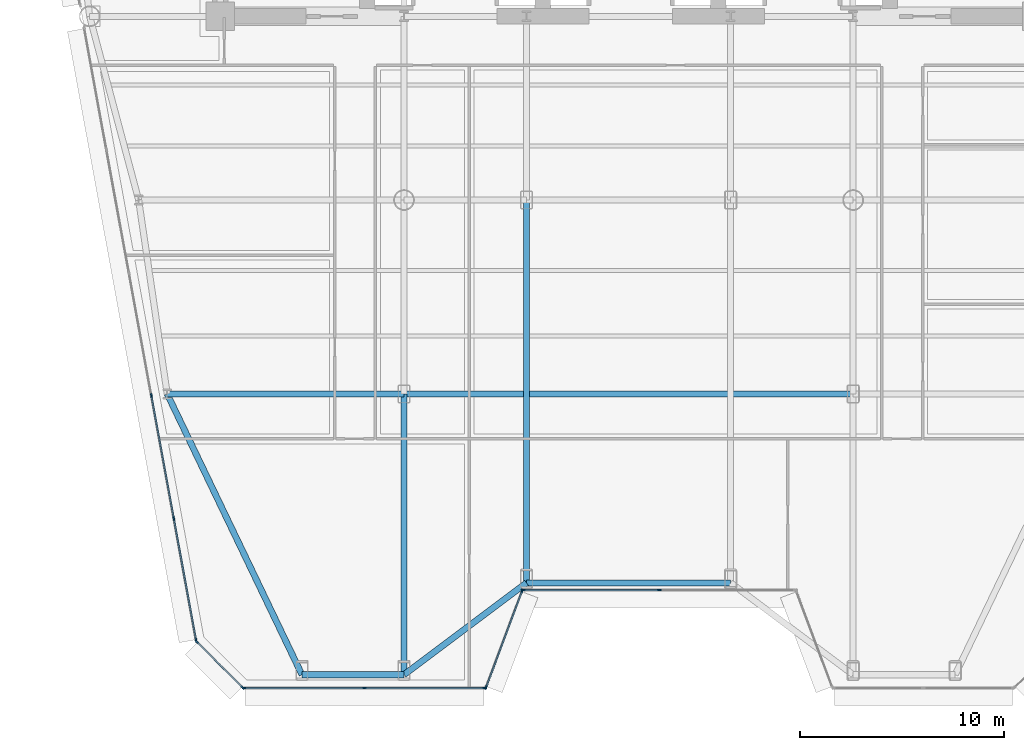
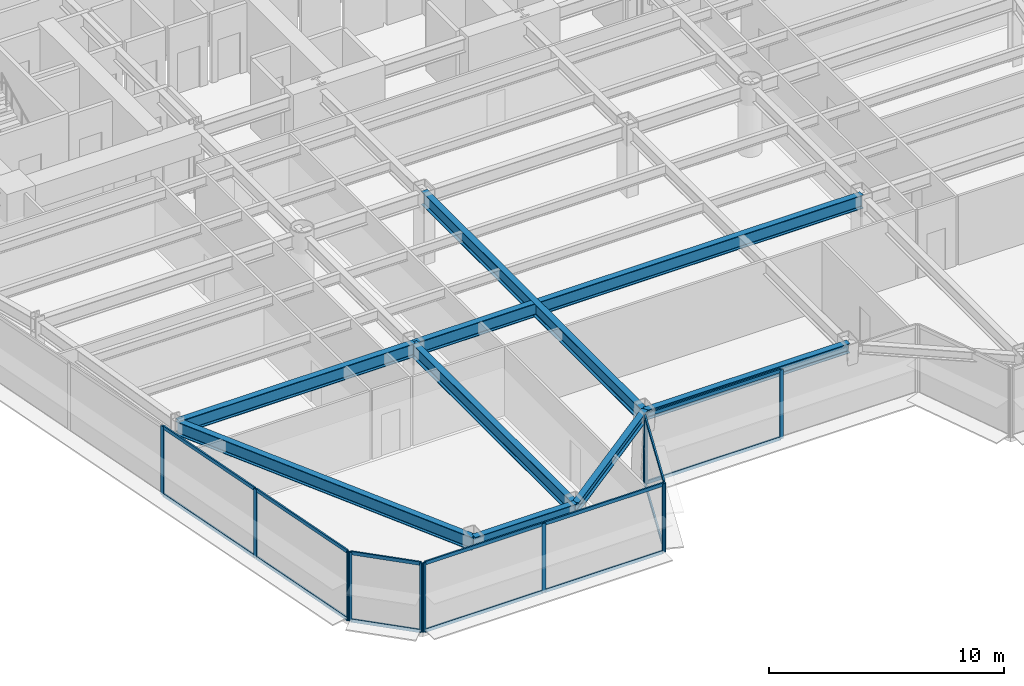
# One storey, part 2 of 14: 26 members, 8 beams, 5 elements without a shape of their own.
"""IFC4 building model written with IfcOpenShell, lengths in metres."""

from ifc_helpers import new_model, si_unit, direction, frame, origin, origin_2d, place, context, subcontext, project, spatial, rectangle, i_section, extrude, source, transform, mapped, material, layer, layer_set, material_profile, profile_set, type_object, element, aggregate, save


model = new_model("IFC4")

# Units and contexts
model_context = context("Model", 3, precision=1e-05, world=origin(), true_north=direction((0.0, 1.0)))
body_context = subcontext(model_context, "Body", "Model", "MODEL_VIEW")
ifc_project = project(units=[si_unit("LENGTHUNIT", "METRE"), si_unit("AREAUNIT", "SQUARE_METRE"), si_unit("VOLUMEUNIT", "CUBIC_METRE"), si_unit("PLANEANGLEUNIT", "RADIAN"), si_unit("MASSUNIT", "GRAM", prefix="KILO")], contexts=[model_context])

# Site, building, storey
site_placement = place(None, origin())
site = spatial("IfcSite", under=ifc_project, at=site_placement, CompositionType="ELEMENT")
building_placement = place(site_placement, origin())
building = spatial("IfcBuilding", under=site, at=building_placement, Name="Vaeldorn Concourse Tower", CompositionType="ELEMENT")
storey_placement = place(building_placement, frame((0.0, 0.0, 88.199951171875)))
storey = spatial("IfcBuildingStorey", under=building, at=storey_placement, Name="L22", CompositionType="ELEMENT", Elevation=88.199951171875)

# Beams
ifc_material_1 = material(Name="Steel S355", Category="steel")
ifc_material_profile_1 = material_profile(ifc_material_1, i_section(OverallWidth=0.300048828125, OverallDepth=0.5, WebThickness=0.014404296875, FlangeThickness=0.028076171875, FilletRadius=0.027099609375, at=origin_2d()), Name="HEB 500")
ifc_profile_set_1 = profile_set([ifc_material_profile_1], Name="Steel S355")
beam_type_1 = type_object("IfcBeamType", Name="BM-SP-HEB500", PredefinedType="SPANDREL", material=ifc_profile_set_1)
shared_shape_1 = source(origin(), body_context, "Body", "SweptSolid", [
    extrude(i_section(OverallWidth=0.300048828125, OverallDepth=0.5, WebThickness=0.014404296875, FlangeThickness=0.028076171875, FilletRadius=0.027099609375, at=origin_2d()), origin(), (0.0, 0.0, 1.0), 5.0),
])
beam_1_placement = place(storey_placement, frame((18.0, 4.2470703125, 3.330078125), z_axis=(1.0, 0.0, 0.0), x_axis=(0.0, 1.0, 0.0)))
element("IfcBeam", 1, at=beam_1_placement, inside=storey, type_object=beam_type_1, Name="Beam BM-L22-C-SF1-C-SF2", PredefinedType="SPANDREL", context=body_context, shape_type="MappedRepresentation", body=[
    mapped(shared_shape_1, transform((0.0, 0.0, 0.0), scale=1.0)),
])
shared_shape_2 = source(origin(), body_context, "Body", "SweptSolid", [
    extrude(i_section(OverallWidth=0.300048828125, OverallDepth=0.5, WebThickness=0.014404296875, FlangeThickness=0.028076171875, FilletRadius=0.027099609375, at=origin_2d()), origin(), (0.0, 0.0, 1.0), 7.5),
])
beam_2_placement = place(storey_placement, frame((23.0, 4.2470703125, 3.330078125), z_axis=(0.8, 0.6, 0.0), x_axis=(-0.6, 0.8, 0.0)))
element("IfcBeam", 2, at=beam_2_placement, inside=storey, type_object=beam_type_1, Name="Beam BM-L22-C-SF2-C-SF3", PredefinedType="SPANDREL", context=body_context, shape_type="MappedRepresentation", body=[
    mapped(shared_shape_2, transform((0.0, 0.0, 0.0), scale=1.0)),
])
shared_shape_3 = source(origin(), body_context, "Body", "SweptSolid", [
    extrude(i_section(OverallWidth=0.300048828125, OverallDepth=0.5, WebThickness=0.014404296875, FlangeThickness=0.028076171875, FilletRadius=0.027099609375, at=origin_2d()), origin(), (0.0, 0.0, 1.0), 10.0),
])
beam_3_placement = place(storey_placement, frame((29.0, 8.7470703125, 3.330078125), z_axis=(1.0, 0.0, 0.0), x_axis=(0.0, 1.0, 0.0)))
element("IfcBeam", 3, at=beam_3_placement, inside=storey, type_object=beam_type_1, Name="Beam BM-L22-C-SF3-C-SF4", PredefinedType="SPANDREL", context=body_context, shape_type="MappedRepresentation", body=[
    mapped(shared_shape_3, transform((0.0, 0.0, 0.0), scale=1.0)),
])
ifc_material_profile_2 = material_profile(ifc_material_1, i_section(OverallWidth=0.300048828125, OverallDepth=0.699951171875, WebThickness=0.01708984375, FlangeThickness=0.031982421875, FilletRadius=0.027099609375, at=origin_2d()), Name="HEB 700")
ifc_profile_set_2 = profile_set([ifc_material_profile_2], Name="Steel S355")
beam_type_2 = type_object("IfcBeamType", Name="BM-PG-HEB700", PredefinedType="BEAM", material=ifc_profile_set_2)
shared_shape_4 = source(origin(), body_context, "Body", "SweptSolid", [
    extrude(i_section(OverallWidth=0.300048828125, OverallDepth=0.699951171875, WebThickness=0.01708984375, FlangeThickness=0.031982421875, FilletRadius=0.027099609375, at=origin_2d()), origin(), (0.0, 0.0, 1.0), 11.60009765625),
])
beam_4_placement = place(storey_placement, frame((11.39990234375, 18.0, 3.22998046875), z_axis=(1.0, 0.0, 0.0), x_axis=(0.0, 1.0, 0.0)))
element("IfcBeam", 4, at=beam_4_placement, inside=storey, type_object=beam_type_2, Name="Beam BM-L22-C-FLW2-C-TW5", PredefinedType="BEAM", context=body_context, shape_type="MappedRepresentation", body=[
    mapped(shared_shape_4, transform((0.0, 0.0, 0.0), scale=1.0)),
])
shared_shape_5 = source(origin(), body_context, "Body", "SweptSolid", [
    extrude(i_section(OverallWidth=0.300048828125, OverallDepth=0.699951171875, WebThickness=0.01708984375, FlangeThickness=0.031982421875, FilletRadius=0.027099609375, at=origin_2d()), origin(), (0.0, 0.0, 1.0), 22.0),
])
beam_5_placement = place(storey_placement, frame((23.0, 18.0, 3.22998046875), z_axis=(1.0, 0.0, 0.0), x_axis=(0.0, 1.0, 0.0)))
element("IfcBeam", 5, at=beam_5_placement, inside=storey, type_object=beam_type_2, Name="Beam BM-L22-C-TW5-C-TW6", PredefinedType="BEAM", context=body_context, shape_type="MappedRepresentation", body=[
    mapped(shared_shape_5, transform((0.0, 0.0, 0.0), scale=1.0)),
])
shared_shape_6 = source(origin(), body_context, "Body", "SweptSolid", [
    extrude(i_section(OverallWidth=0.300048828125, OverallDepth=0.699951171875, WebThickness=0.01708984375, FlangeThickness=0.031982421875, FilletRadius=0.027099609375, at=origin_2d()), origin(), (0.0, 0.0, 1.0), 15.254638671875),
])
beam_6_placement = place(storey_placement, frame((18.0, 4.2470703125, 3.22998046875), z_axis=(-0.432661346471, 0.901556520286, 0.0), x_axis=(-0.901556520286, -0.432661346471, 0.0)))
element("IfcBeam", 6, at=beam_6_placement, inside=storey, type_object=beam_type_2, Name="Beam BM-L22-C-SF1-C-FLW2", PredefinedType="BEAM", context=body_context, shape_type="MappedRepresentation", body=[
    mapped(shared_shape_6, transform((0.0, 0.0, 0.0), scale=1.0)),
])
shared_shape_7 = source(origin(), body_context, "Body", "SweptSolid", [
    extrude(i_section(OverallWidth=0.300048828125, OverallDepth=0.699951171875, WebThickness=0.01708984375, FlangeThickness=0.031982421875, FilletRadius=0.027099609375, at=origin_2d()), origin(), (0.0, 0.0, 1.0), 13.7529296875),
])
beam_7_placement = place(storey_placement, frame((23.0, 4.2470703125, 3.22998046875), z_axis=(0.0, 1.0, 0.0), x_axis=(-1.0, 0.0, 0.0)))
element("IfcBeam", 7, at=beam_7_placement, inside=storey, type_object=beam_type_2, Name="Beam BM-L22-C-SF2-C-TW5", PredefinedType="BEAM", context=body_context, shape_type="MappedRepresentation", body=[
    mapped(shared_shape_7, transform((0.0, 0.0, 0.0), scale=1.0)),
])
shared_shape_8 = source(origin(), body_context, "Body", "SweptSolid", [
    extrude(i_section(OverallWidth=0.300048828125, OverallDepth=0.699951171875, WebThickness=0.01708984375, FlangeThickness=0.031982421875, FilletRadius=0.027099609375, at=origin_2d()), origin(), (0.0, 0.0, 1.0), 18.7529296875),
])
beam_8_placement = place(storey_placement, frame((29.0, 8.7470703125, 3.22998046875), z_axis=(0.0, 1.0, 0.0), x_axis=(-1.0, 0.0, 0.0)))
element("IfcBeam", 8, at=beam_8_placement, inside=storey, type_object=beam_type_2, Name="Beam BM-L22-C-SF3-C-TW2", PredefinedType="BEAM", context=body_context, shape_type="MappedRepresentation", body=[
    mapped(shared_shape_8, transform((0.0, 0.0, 0.0), scale=1.0)),
])

# Curtain wall, members
ifc_material_2 = material(Name="Anodised Bronze Aluminium", Category="aluminium")
ifc_layer = layer(ifc_material_2, 0.199951171875)
ifc_layer_set = layer_set([ifc_layer], Name="Anodised Bronze Aluminium")
curtain_wall_type = type_object("IfcCurtainWallType", Name="CW-SYS-02", PredefinedType="NOTDEFINED", material=ifc_layer_set)
curtain_wall_1_placement = place(storey_placement, origin())
curtain_wall_1 = element("IfcCurtainWall", 9, at=curtain_wall_1_placement, inside=storey, type_object=curtain_wall_type, Name="Unitised Curtain Wall CW-L22-E03-1", PredefinedType="NOTDEFINED")
ifc_material_profile_3 = material_profile(ifc_material_2, rectangle(XDim=0.074951171875, YDim=0.179931640625, at=origin_2d()), Name="CWT 75x180")
ifc_profile_set_3 = profile_set([ifc_material_profile_3], Name="Anodised Bronze Aluminium")
member_type_1 = type_object("IfcMemberType", Name="CWT-BRONZE-180", PredefinedType="USERDEFINED", material=ifc_profile_set_3)
shared_shape_9 = source(origin(), body_context, "Body", "SweptSolid", [
    extrude(rectangle(XDim=0.074951171875, YDim=0.179931640625, at=origin_2d()), origin(), (0.0, 0.0, 1.0), 6.58740234375),
])
member_1_placement = place(storey_placement, frame((28.875, 8.385986328125, 0.03759765625), z_axis=(1.0, 0.0, 0.0), x_axis=(0.0, 1.0, 0.0)))
member_1 = element("IfcMember", 10, at=member_1_placement, type_object=member_type_1, Name="CW-02 transom 1.1", ObjectType="TRANSOM", PredefinedType="USERDEFINED", context=body_context, shape_type="MappedRepresentation", body=[
    mapped(shared_shape_9, transform((0.0, 0.0, 0.0), scale=1.0)),
])
member_2_placement = place(storey_placement, frame((28.875, 8.385986328125, 3.54248046875), z_axis=(1.0, 0.0, 0.0), x_axis=(0.0, 1.0, 0.0)))
member_2 = element("IfcMember", 11, at=member_2_placement, type_object=member_type_1, Name="CW-02 transom 1.2", ObjectType="TRANSOM", PredefinedType="USERDEFINED", context=body_context, shape_type="MappedRepresentation", body=[
    mapped(shared_shape_9, transform((0.0, 0.0, 0.0), scale=1.0)),
])

curtain_wall_2_placement = place(storey_placement, origin())
curtain_wall_2 = element("IfcCurtainWall", 12, at=curtain_wall_2_placement, inside=storey, type_object=curtain_wall_type, Name="Unitised Curtain Wall CW-L22-E12-1", PredefinedType="NOTDEFINED")
shared_shape_10 = source(origin(), body_context, "Body", "SweptSolid", [
    extrude(rectangle(XDim=0.074951171875, YDim=0.179931640625, at=origin_2d()), origin(), (0.0, 0.0, 1.0), 3.102783203125),
])
member_3_placement = place(storey_placement, frame((12.876220703125, 5.8330078125, 0.03759765625), z_axis=(0.707146122816, -0.707067437368, 0.0), x_axis=(0.707067437368, 0.707146122816, 0.0)))
member_3 = element("IfcMember", 13, at=member_3_placement, type_object=member_type_1, Name="CW-02 transom 1.1", ObjectType="TRANSOM", PredefinedType="USERDEFINED", context=body_context, shape_type="MappedRepresentation", body=[
    mapped(shared_shape_10, transform((0.0, 0.0, 0.0), scale=1.0)),
])
member_4_placement = place(storey_placement, frame((12.876220703125, 5.8330078125, 3.54248046875), z_axis=(0.707146122816, -0.707067437368, 0.0), x_axis=(0.707067437368, 0.707146122816, 0.0)))
member_4 = element("IfcMember", 14, at=member_4_placement, type_object=member_type_1, Name="CW-02 transom 1.2", ObjectType="TRANSOM", PredefinedType="USERDEFINED", context=body_context, shape_type="MappedRepresentation", body=[
    mapped(shared_shape_10, transform((0.0, 0.0, 0.0), scale=1.0)),
])

curtain_wall_3_placement = place(storey_placement, origin())
curtain_wall_3 = element("IfcCurtainWall", 15, at=curtain_wall_3_placement, inside=storey, type_object=curtain_wall_type, Name="Unitised Curtain Wall CW-L22-E02-1", PredefinedType="NOTDEFINED")
shared_shape_11 = source(origin(), body_context, "Body", "SweptSolid", [
    extrude(rectangle(XDim=0.074951171875, YDim=0.179931640625, at=origin_2d()), origin(), (0.0, 0.0, 1.0), 4.9765625),
])
member_5_placement = place(storey_placement, frame((27.0263671875, 3.65625, 0.03759765625), z_axis=(0.351112688987, 0.936333209724, 0.0), x_axis=(-0.936333209724, 0.351112688987, 0.0)))
member_5 = element("IfcMember", 16, at=member_5_placement, type_object=member_type_1, Name="CW-02 transom 1.1", ObjectType="TRANSOM", PredefinedType="USERDEFINED", context=body_context, shape_type="MappedRepresentation", body=[
    mapped(shared_shape_11, transform((0.0, 0.0, 0.0), scale=1.0)),
])
member_6_placement = place(storey_placement, frame((27.0263671875, 3.65625, 3.54248046875), z_axis=(0.351112688987, 0.936333209724, 0.0), x_axis=(-0.936333209724, 0.351112688987, 0.0)))
member_6 = element("IfcMember", 17, at=member_6_placement, type_object=member_type_1, Name="CW-02 transom 1.2", ObjectType="TRANSOM", PredefinedType="USERDEFINED", context=body_context, shape_type="MappedRepresentation", body=[
    mapped(shared_shape_11, transform((0.0, 0.0, 0.0), scale=1.0)),
])

curtain_wall_4_placement = place(storey_placement, origin())
curtain_wall_4 = element("IfcCurtainWall", 18, at=curtain_wall_4_placement, inside=storey, type_object=curtain_wall_type, Name="Unitised Curtain Wall CW-L22-E01-1", PredefinedType="NOTDEFINED")
shared_shape_12 = source(origin(), body_context, "Body", "SweptSolid", [
    extrude(rectangle(XDim=0.074951171875, YDim=0.179931640625, at=origin_2d()), origin(), (0.0, 0.0, 1.0), 5.825927734375),
])
member_7_placement = place(storey_placement, frame((15.1982421875, 3.586181640625, 0.03759765625), z_axis=(1.0, 0.0, 0.0), x_axis=(0.0, 1.0, 0.0)))
member_7 = element("IfcMember", 19, at=member_7_placement, type_object=member_type_1, Name="CW-02 transom 1.1", ObjectType="TRANSOM", PredefinedType="USERDEFINED", context=body_context, shape_type="MappedRepresentation", body=[
    mapped(shared_shape_12, transform((0.0, 0.0, 0.0), scale=1.0)),
])
member_8_placement = place(storey_placement, frame((15.1982421875, 3.586181640625, 3.54248046875), z_axis=(1.0, 0.0, 0.0), x_axis=(0.0, 1.0, 0.0)))
member_8 = element("IfcMember", 20, at=member_8_placement, type_object=member_type_1, Name="CW-02 transom 1.2", ObjectType="TRANSOM", PredefinedType="USERDEFINED", context=body_context, shape_type="MappedRepresentation", body=[
    mapped(shared_shape_12, transform((0.0, 0.0, 0.0), scale=1.0)),
])
member_9_placement = place(storey_placement, frame((21.09912109375, 3.586181640625, 0.03759765625), z_axis=(1.0, 0.0, 0.0), x_axis=(0.0, 1.0, 0.0)))
member_9 = element("IfcMember", 21, at=member_9_placement, type_object=member_type_1, Name="CW-02 transom 2.1", ObjectType="TRANSOM", PredefinedType="USERDEFINED", context=body_context, shape_type="MappedRepresentation", body=[
    mapped(shared_shape_12, transform((0.0, 0.0, 0.0), scale=1.0)),
])
member_10_placement = place(storey_placement, frame((21.09912109375, 3.586181640625, 3.54248046875), z_axis=(1.0, 0.0, 0.0), x_axis=(0.0, 1.0, 0.0)))
member_10 = element("IfcMember", 22, at=member_10_placement, type_object=member_type_1, Name="CW-02 transom 2.2", ObjectType="TRANSOM", PredefinedType="USERDEFINED", context=body_context, shape_type="MappedRepresentation", body=[
    mapped(shared_shape_12, transform((0.0, 0.0, 0.0), scale=1.0)),
])
ifc_material_profile_4 = material_profile(ifc_material_2, rectangle(XDim=0.074951171875, YDim=0.18994140625, at=origin_2d()), Name="CWM 75x190")
ifc_profile_set_4 = profile_set([ifc_material_profile_4], Name="Anodised Bronze Aluminium")
member_type_2 = type_object("IfcMemberType", Name="CWM-BRONZE-190", PredefinedType="MULLION", material=ifc_profile_set_4)
shared_shape_13 = source(origin(), body_context, "Body", "SweptSolid", [
    extrude(rectangle(XDim=0.074951171875, YDim=0.18994140625, at=origin_2d()), origin(), (0.0, 0.0, 1.0), 3.580078125),
])
member_11_placement = place(storey_placement, frame((15.160888671875, 3.586181640625, 0.0), z_axis=(0.0, 0.0, 1.0), x_axis=(0.0, 1.0, 0.0)))
member_11 = element("IfcMember", 23, at=member_11_placement, type_object=member_type_2, Name="CW-02 mullion 1", PredefinedType="MULLION", context=body_context, shape_type="MappedRepresentation", body=[
    mapped(shared_shape_13, transform((0.0, 0.0, 0.0), scale=1.0)),
])
member_12_placement = place(storey_placement, frame((21.061767578125, 3.586181640625, 0.0), z_axis=(0.0, 0.0, 1.0), x_axis=(0.0, 1.0, 0.0)))
member_12 = element("IfcMember", 24, at=member_12_placement, type_object=member_type_2, Name="CW-02 mullion 2", PredefinedType="MULLION", context=body_context, shape_type="MappedRepresentation", body=[
    mapped(shared_shape_13, transform((0.0, 0.0, 0.0), scale=1.0)),
])
member_13_placement = place(storey_placement, frame((26.96240234375, 3.586181640625, 0.0), z_axis=(0.0, 0.0, 1.0), x_axis=(0.0, 1.0, 0.0)))
member_13 = element("IfcMember", 25, at=member_13_placement, type_object=member_type_2, Name="CW-02 mullion 3", PredefinedType="MULLION", context=body_context, shape_type="MappedRepresentation", body=[
    mapped(shared_shape_13, transform((0.0, 0.0, 0.0), scale=1.0)),
])
aggregate(curtain_wall_4, [member_11, member_12, member_13, member_7, member_8, member_9, member_10])

# Member
member_14_placement = place(storey_placement, frame((27.01318359375, 3.62109375, 0.0), z_axis=(0.0, 0.0, 1.0), x_axis=(-0.936329177566, 0.351123441595, 0.0)))
member_14 = element("IfcMember", 26, at=member_14_placement, type_object=member_type_2, Name="CW-02 mullion 1", PredefinedType="MULLION", context=body_context, shape_type="MappedRepresentation", body=[
    mapped(shared_shape_13, transform((0.0, 0.0, 0.0), scale=1.0)),
])

member_15_placement = place(storey_placement, frame((28.786865234375, 8.35107421875, 0.0), z_axis=(0.0, 0.0, 1.0), x_axis=(-0.936329177566, 0.351123441595, 0.0)))
member_15 = element("IfcMember", 27, at=member_15_placement, type_object=member_type_2, Name="CW-02 mullion 2", PredefinedType="MULLION", context=body_context, shape_type="MappedRepresentation", body=[
    mapped(shared_shape_13, transform((0.0, 0.0, 0.0), scale=1.0)),
])

aggregate(curtain_wall_3, [member_14, member_15, member_5, member_6])

member_16_placement = place(storey_placement, frame((28.83740234375, 8.385986328125, 0.0), z_axis=(0.0, 0.0, 1.0), x_axis=(0.0, 1.0, 0.0)))
member_16 = element("IfcMember", 28, at=member_16_placement, type_object=member_type_2, Name="CW-02 mullion 1", PredefinedType="MULLION", context=body_context, shape_type="MappedRepresentation", body=[
    mapped(shared_shape_13, transform((0.0, 0.0, 0.0), scale=1.0)),
])

member_17_placement = place(storey_placement, frame((35.5, 8.385986328125, 0.0), z_axis=(0.0, 0.0, 1.0), x_axis=(0.0, 1.0, 0.0)))
member_17 = element("IfcMember", 29, at=member_17_placement, type_object=member_type_2, Name="CW-02 mullion 2", PredefinedType="MULLION", context=body_context, shape_type="MappedRepresentation", body=[
    mapped(shared_shape_13, transform((0.0, 0.0, 0.0), scale=1.0)),
])

aggregate(curtain_wall_1, [member_16, member_17, member_1, member_2])

# Curtain wall, members
curtain_wall_5_placement = place(storey_placement, origin())
curtain_wall_5 = element("IfcCurtainWall", 30, at=curtain_wall_5_placement, inside=storey, type_object=curtain_wall_type, Name="Unitised Curtain Wall CW-L22-E11-2", PredefinedType="NOTDEFINED")
member_18_placement = place(storey_placement, frame((10.62353515625, 17.924560546875, 0.0), z_axis=(0.0, 0.0, 1.0), x_axis=(0.983711798531, 0.179752878786, 0.0)))
member_18 = element("IfcMember", 31, at=member_18_placement, type_object=member_type_2, Name="CW-02 mullion 4", PredefinedType="MULLION", context=body_context, shape_type="MappedRepresentation", body=[
    mapped(shared_shape_13, transform((0.0, 0.0, 0.0), scale=1.0)),
])
member_19_placement = place(storey_placement, frame((11.723388671875, 11.9052734375, 0.0), z_axis=(0.0, 0.0, 1.0), x_axis=(0.983711798531, 0.179752878786, 0.0)))
member_19 = element("IfcMember", 32, at=member_19_placement, type_object=member_type_2, Name="CW-02 mullion 5", PredefinedType="MULLION", context=body_context, shape_type="MappedRepresentation", body=[
    mapped(shared_shape_13, transform((0.0, 0.0, 0.0), scale=1.0)),
])
member_20_placement = place(storey_placement, frame((12.816650390625, 5.923095703125, 0.0), z_axis=(0.0, 0.0, 1.0), x_axis=(0.983711798531, 0.179752878786, 0.0)))
member_20 = element("IfcMember", 33, at=member_20_placement, type_object=member_type_2, Name="CW-02 mullion 6", PredefinedType="MULLION", context=body_context, shape_type="MappedRepresentation", body=[
    mapped(shared_shape_13, transform((0.0, 0.0, 0.0), scale=1.0)),
])

# Member
member_21_placement = place(storey_placement, frame((12.849853515625, 5.859619140625, 0.0), z_axis=(0.0, 0.0, 1.0), x_axis=(0.707106781187, 0.707106781187, 0.0)))
member_21 = element("IfcMember", 34, at=member_21_placement, type_object=member_type_2, Name="CW-02 mullion 1", PredefinedType="MULLION", context=body_context, shape_type="MappedRepresentation", body=[
    mapped(shared_shape_13, transform((0.0, 0.0, 0.0), scale=1.0)),
])

member_22_placement = place(storey_placement, frame((15.0966796875, 3.612548828125, 0.0), z_axis=(0.0, 0.0, 1.0), x_axis=(0.707106781187, 0.707106781187, 0.0)))
member_22 = element("IfcMember", 35, at=member_22_placement, type_object=member_type_2, Name="CW-02 mullion 2", PredefinedType="MULLION", context=body_context, shape_type="MappedRepresentation", body=[
    mapped(shared_shape_13, transform((0.0, 0.0, 0.0), scale=1.0)),
])

aggregate(curtain_wall_2, [member_21, member_22, member_3, member_4])

shared_shape_14 = source(origin(), body_context, "Body", "SweptSolid", [
    extrude(rectangle(XDim=0.074951171875, YDim=0.179931640625, at=origin_2d()), origin(), (0.0, 0.0, 1.0), 6.00634765625),
])
member_23_placement = place(storey_placement, frame((11.730224609375, 11.868408203125, 0.03759765625), z_axis=(0.179743848184, -0.983713448642, 0.0), x_axis=(0.983713448642, 0.179743848184, 0.0)))
member_23 = element("IfcMember", 36, at=member_23_placement, type_object=member_type_1, Name="CW-02 transom 5.1", ObjectType="TRANSOM", PredefinedType="USERDEFINED", context=body_context, shape_type="MappedRepresentation", body=[
    mapped(shared_shape_14, transform((0.0, 0.0, 0.0), scale=1.0)),
])

member_24_placement = place(storey_placement, frame((11.730224609375, 11.868408203125, 3.54248046875), z_axis=(0.179743848184, -0.983713448642, 0.0), x_axis=(0.983713448642, 0.179743848184, 0.0)))
member_24 = element("IfcMember", 37, at=member_24_placement, type_object=member_type_1, Name="CW-02 transom 5.2", ObjectType="TRANSOM", PredefinedType="USERDEFINED", context=body_context, shape_type="MappedRepresentation", body=[
    mapped(shared_shape_14, transform((0.0, 0.0, 0.0), scale=1.0)),
])

shared_shape_15 = source(origin(), body_context, "Body", "SweptSolid", [
    extrude(rectangle(XDim=0.074951171875, YDim=0.179931640625, at=origin_2d()), origin(), (0.0, 0.0, 1.0), 6.043701171875),
])
member_25_placement = place(storey_placement, frame((10.63037109375, 17.887451171875, 0.03759765625), z_axis=(0.17975984871, -0.983710524896, 0.0), x_axis=(0.983710524896, 0.17975984871, 0.0)))
member_25 = element("IfcMember", 38, at=member_25_placement, type_object=member_type_1, Name="CW-02 transom 4.1", ObjectType="TRANSOM", PredefinedType="USERDEFINED", context=body_context, shape_type="MappedRepresentation", body=[
    mapped(shared_shape_15, transform((0.0, 0.0, 0.0), scale=1.0)),
])

member_26_placement = place(storey_placement, frame((10.63037109375, 17.887451171875, 3.54248046875), z_axis=(0.17975984871, -0.983710524896, 0.0), x_axis=(0.983710524896, 0.17975984871, 0.0)))
member_26 = element("IfcMember", 39, at=member_26_placement, type_object=member_type_1, Name="CW-02 transom 4.2", ObjectType="TRANSOM", PredefinedType="USERDEFINED", context=body_context, shape_type="MappedRepresentation", body=[
    mapped(shared_shape_15, transform((0.0, 0.0, 0.0), scale=1.0)),
])

aggregate(curtain_wall_5, [member_18, member_19, member_20, member_25, member_26, member_23, member_24])

save(model, "model.ifc")
